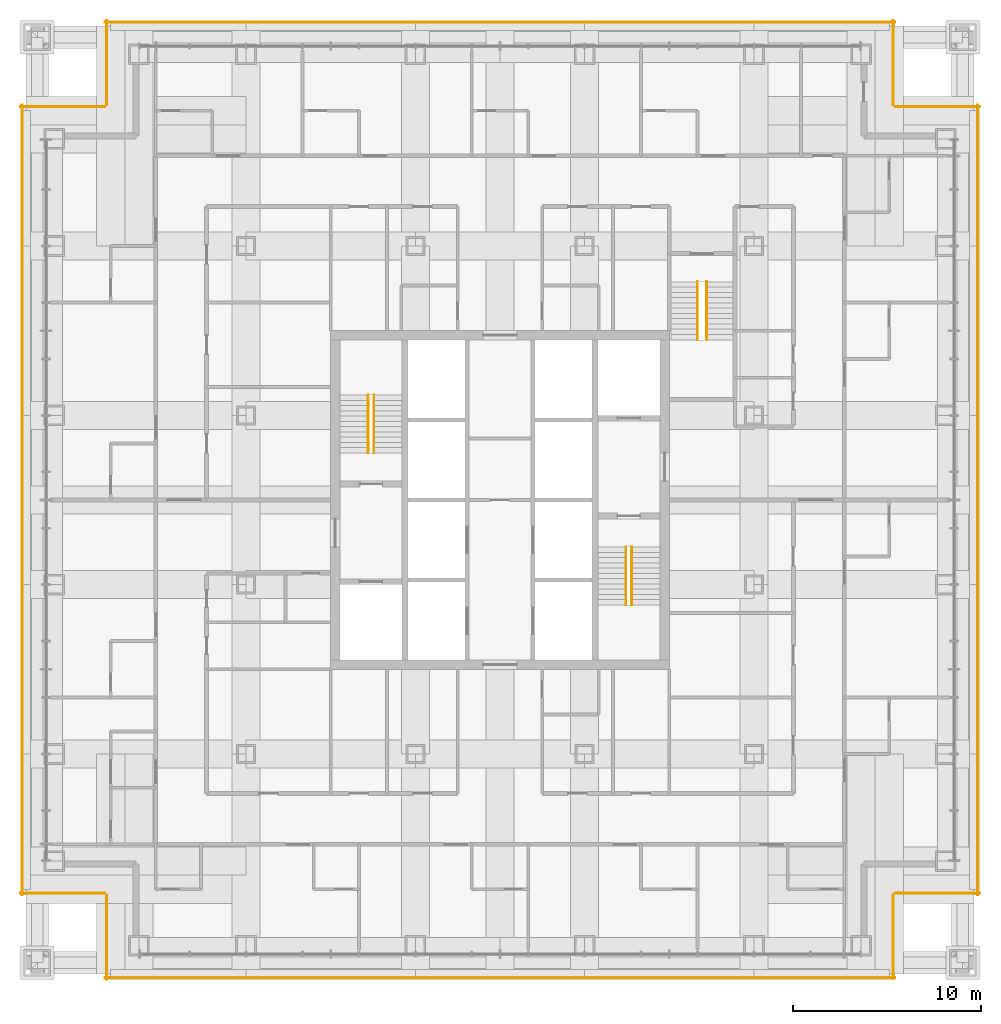
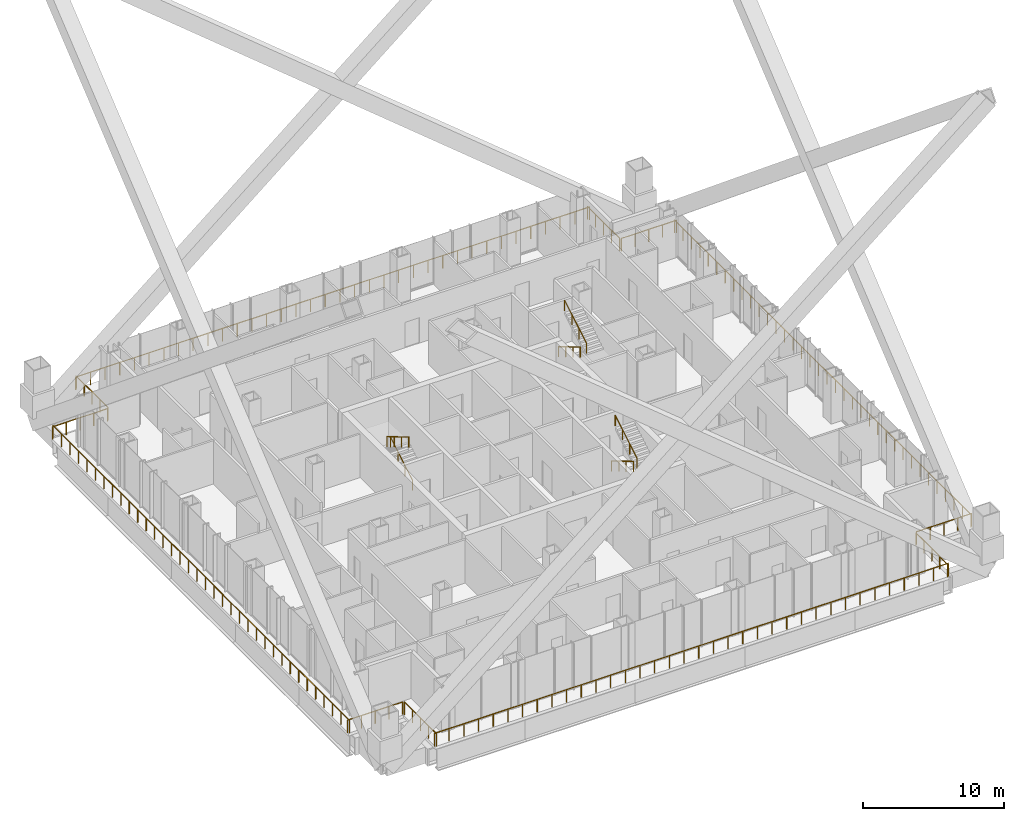
# One storey, part 20 of 20: 18 railings.
"""IFC4 building model written with IfcOpenShell, lengths in metres."""

from ifc_helpers import new_model, si_unit, direction, frame, origin, origin_2d, place, context, subcontext, project, spatial, circle, extrude, material, type_object, element, save


model = new_model("IFC4")

# Units and contexts
model_context = context("Model", 3, precision=1e-05, world=origin(), true_north=direction((0.0, 1.0)))
body_context = subcontext(model_context, "Body", "Model", "MODEL_VIEW")
ifc_project = project(units=[si_unit("LENGTHUNIT", "METRE"), si_unit("AREAUNIT", "SQUARE_METRE"), si_unit("VOLUMEUNIT", "CUBIC_METRE"), si_unit("PLANEANGLEUNIT", "RADIAN"), si_unit("MASSUNIT", "GRAM", prefix="KILO")], contexts=[model_context])

# Site, building, storey
site_placement = place(None, origin())
site = spatial("IfcSite", under=ifc_project, at=site_placement, CompositionType="ELEMENT")
building_placement = place(site_placement, origin())
building = spatial("IfcBuilding", under=site, at=building_placement, Name="Malebo Sky Hospital", CompositionType="ELEMENT")
storey_placement = place(building_placement, frame((0.0, 0.0, 100.0)))
storey = spatial("IfcBuildingStorey", under=building, at=storey_placement, Name="L23", CompositionType="ELEMENT", Elevation=100.0)

# Railings
ifc_material_1 = material(Name="Anodised aluminium, natural silver posts with stainless steel infill", Category="steel")
railing_type_1 = type_object("IfcRailingType", Name="ROOF EDGE GUARD 1100", PredefinedType="GUARDRAIL", material=ifc_material_1)
railing_1_placement = place(storey_placement, frame((80.89990234375, 36.5, 0.0)))
element("IfcRailing", 1, at=railing_1_placement, inside=storey, type_object=railing_type_1, Name="Maintenance roof edge guard 1 L23", PredefinedType="GUARDRAIL", context=body_context, shape_type="SweptSolid", body=[
    extrude(circle(Radius=0.02392578125, at=origin_2d()), frame((0.0, 0.0, 1.076171875), z_axis=(0.0, 1.0, 0.0), x_axis=(-1.0, 0.0, 0.0)), (0.0, 0.0, 1.0), 4.5),
    extrude(circle(Radius=0.02099609375, at=origin_2d()), origin(), (0.0, 0.0, 1.0), 1.052001953125),
    extrude(circle(Radius=0.02099609375, at=origin_2d()), frame((0.0, 1.125, 0.0)), (0.0, 0.0, 1.0), 1.052001953125),
    extrude(circle(Radius=0.02099609375, at=origin_2d()), frame((0.0, 2.25, 0.0)), (0.0, 0.0, 1.0), 1.052001953125),
    extrude(circle(Radius=0.02099609375, at=origin_2d()), frame((0.0, 3.375, 0.0)), (0.0, 0.0, 1.0), 1.052001953125),
    extrude(circle(Radius=0.02099609375, at=origin_2d()), frame((0.0, 4.5, 0.0)), (0.0, 0.0, 1.0), 1.052001953125),
])
railing_2_placement = place(storey_placement, frame((81.0, 41.10009765625, 0.0)))
element("IfcRailing", 2, at=railing_2_placement, inside=storey, type_object=railing_type_1, Name="Maintenance roof edge guard 2 L23", PredefinedType="GUARDRAIL", context=body_context, shape_type="SweptSolid", body=[
    extrude(circle(Radius=0.02392578125, at=origin_2d()), frame((0.0, 0.0, 1.076171875), z_axis=(1.0, 0.0, 0.0), x_axis=(0.0, 1.0, 0.0)), (0.0, 0.0, 1.0), 4.5),
    extrude(circle(Radius=0.02099609375, at=origin_2d()), origin(), (0.0, 0.0, 1.0), 1.052001953125),
    extrude(circle(Radius=0.02099609375, at=origin_2d()), frame((1.125, 0.0, 0.0)), (0.0, 0.0, 1.0), 1.052001953125),
    extrude(circle(Radius=0.02099609375, at=origin_2d()), frame((2.25, 0.0, 0.0)), (0.0, 0.0, 1.0), 1.052001953125),
    extrude(circle(Radius=0.02099609375, at=origin_2d()), frame((3.375, 0.0, 0.0)), (0.0, 0.0, 1.0), 1.052001953125),
    extrude(circle(Radius=0.02099609375, at=origin_2d()), frame((4.5, 0.0, 0.0)), (0.0, 0.0, 1.0), 1.052001953125),
])
railing_3_placement = place(storey_placement, frame((85.39990234375, 41.0, 0.0)))
element("IfcRailing", 3, at=railing_3_placement, inside=storey, type_object=railing_type_1, Name="Maintenance roof edge guard 3 L23", PredefinedType="GUARDRAIL", context=body_context, shape_type="SweptSolid", body=[
    extrude(circle(Radius=0.02392578125, at=origin_2d()), frame((0.0, 0.0, 1.076171875), z_axis=(0.0, 1.0, 0.0), x_axis=(-1.0, 0.0, 0.0)), (0.0, 0.0, 1.0), 42.0),
    extrude(circle(Radius=0.02099609375, at=origin_2d()), origin(), (0.0, 0.0, 1.0), 1.052001953125),
    extrude(circle(Radius=0.02099609375, at=origin_2d()), frame((0.0, 1.199951171875, 0.0)), (0.0, 0.0, 1.0), 1.052001953125),
    extrude(circle(Radius=0.02099609375, at=origin_2d()), frame((0.0, 2.39990234375, 0.0)), (0.0, 0.0, 1.0), 1.052001953125),
    extrude(circle(Radius=0.02099609375, at=origin_2d()), frame((0.0, 3.60009765625, 0.0)), (0.0, 0.0, 1.0), 1.052001953125),
    extrude(circle(Radius=0.02099609375, at=origin_2d()), frame((0.0, 4.800048828125, 0.0)), (0.0, 0.0, 1.0), 1.052001953125),
    extrude(circle(Radius=0.02099609375, at=origin_2d()), frame((0.0, 6.0, 0.0)), (0.0, 0.0, 1.0), 1.052001953125),
    extrude(circle(Radius=0.02099609375, at=origin_2d()), frame((0.0, 7.199951171875, 0.0)), (0.0, 0.0, 1.0), 1.052001953125),
    extrude(circle(Radius=0.02099609375, at=origin_2d()), frame((0.0, 8.39990234375, 0.0)), (0.0, 0.0, 1.0), 1.052001953125),
    extrude(circle(Radius=0.02099609375, at=origin_2d()), frame((0.0, 9.60009765625, 0.0)), (0.0, 0.0, 1.0), 1.052001953125),
    extrude(circle(Radius=0.02099609375, at=origin_2d()), frame((0.0, 10.800048828125, 0.0)), (0.0, 0.0, 1.0), 1.052001953125),
    extrude(circle(Radius=0.02099609375, at=origin_2d()), frame((0.0, 12.0, 0.0)), (0.0, 0.0, 1.0), 1.052001953125),
    extrude(circle(Radius=0.02099609375, at=origin_2d()), frame((0.0, 13.199951171875, 0.0)), (0.0, 0.0, 1.0), 1.052001953125),
    extrude(circle(Radius=0.02099609375, at=origin_2d()), frame((0.0, 14.39990234375, 0.0)), (0.0, 0.0, 1.0), 1.052001953125),
    extrude(circle(Radius=0.02099609375, at=origin_2d()), frame((0.0, 15.60009765625, 0.0)), (0.0, 0.0, 1.0), 1.052001953125),
    extrude(circle(Radius=0.02099609375, at=origin_2d()), frame((0.0, 16.800048828125, 0.0)), (0.0, 0.0, 1.0), 1.052001953125),
    extrude(circle(Radius=0.02099609375, at=origin_2d()), frame((0.0, 18.0, 0.0)), (0.0, 0.0, 1.0), 1.052001953125),
    extrude(circle(Radius=0.02099609375, at=origin_2d()), frame((0.0, 19.199951171875, 0.0)), (0.0, 0.0, 1.0), 1.052001953125),
    extrude(circle(Radius=0.02099609375, at=origin_2d()), frame((0.0, 20.39990234375, 0.0)), (0.0, 0.0, 1.0), 1.052001953125),
    extrude(circle(Radius=0.02099609375, at=origin_2d()), frame((0.0, 21.60009765625, 0.0)), (0.0, 0.0, 1.0), 1.052001953125),
    extrude(circle(Radius=0.02099609375, at=origin_2d()), frame((0.0, 22.800048828125, 0.0)), (0.0, 0.0, 1.0), 1.052001953125),
    extrude(circle(Radius=0.02099609375, at=origin_2d()), frame((0.0, 24.0, 0.0)), (0.0, 0.0, 1.0), 1.052001953125),
    extrude(circle(Radius=0.02099609375, at=origin_2d()), frame((0.0, 25.199951171875, 0.0)), (0.0, 0.0, 1.0), 1.052001953125),
    extrude(circle(Radius=0.02099609375, at=origin_2d()), frame((0.0, 26.39990234375, 0.0)), (0.0, 0.0, 1.0), 1.052001953125),
    extrude(circle(Radius=0.02099609375, at=origin_2d()), frame((0.0, 27.60009765625, 0.0)), (0.0, 0.0, 1.0), 1.052001953125),
    extrude(circle(Radius=0.02099609375, at=origin_2d()), frame((0.0, 28.800048828125, 0.0)), (0.0, 0.0, 1.0), 1.052001953125),
    extrude(circle(Radius=0.02099609375, at=origin_2d()), frame((0.0, 30.0, 0.0)), (0.0, 0.0, 1.0), 1.052001953125),
    extrude(circle(Radius=0.02099609375, at=origin_2d()), frame((0.0, 31.199951171875, 0.0)), (0.0, 0.0, 1.0), 1.052001953125),
    extrude(circle(Radius=0.02099609375, at=origin_2d()), frame((0.0, 32.39990234375, 0.0)), (0.0, 0.0, 1.0), 1.052001953125),
    extrude(circle(Radius=0.02099609375, at=origin_2d()), frame((0.0, 33.60009765625, 0.0)), (0.0, 0.0, 1.0), 1.052001953125),
    extrude(circle(Radius=0.02099609375, at=origin_2d()), frame((0.0, 34.800048828125, 0.0)), (0.0, 0.0, 1.0), 1.052001953125),
    extrude(circle(Radius=0.02099609375, at=origin_2d()), frame((0.0, 36.0, 0.0)), (0.0, 0.0, 1.0), 1.052001953125),
    extrude(circle(Radius=0.02099609375, at=origin_2d()), frame((0.0, 37.199951171875, 0.0)), (0.0, 0.0, 1.0), 1.052001953125),
    extrude(circle(Radius=0.02099609375, at=origin_2d()), frame((0.0, 38.39990234375, 0.0)), (0.0, 0.0, 1.0), 1.052001953125),
    extrude(circle(Radius=0.02099609375, at=origin_2d()), frame((0.0, 39.60009765625, 0.0)), (0.0, 0.0, 1.0), 1.052001953125),
    extrude(circle(Radius=0.02099609375, at=origin_2d()), frame((0.0, 40.800048828125, 0.0)), (0.0, 0.0, 1.0), 1.052001953125),
    extrude(circle(Radius=0.02099609375, at=origin_2d()), frame((0.0, 42.0, 0.0)), (0.0, 0.0, 1.0), 1.052001953125),
])
railing_4_placement = place(storey_placement, frame((85.5, 82.89990234375, 0.0)))
element("IfcRailing", 4, at=railing_4_placement, inside=storey, type_object=railing_type_1, Name="Maintenance roof edge guard 4 L23", PredefinedType="GUARDRAIL", context=body_context, shape_type="SweptSolid", body=[
    extrude(circle(Radius=0.02392578125, at=origin_2d()), frame((0.0, 0.0, 1.076171875), z_axis=(-1.0, 0.0, 0.0), x_axis=(0.0, -1.0, 0.0)), (0.0, 0.0, 1.0), 4.5),
    extrude(circle(Radius=0.02099609375, at=origin_2d()), origin(), (0.0, 0.0, 1.0), 1.052001953125),
    extrude(circle(Radius=0.02099609375, at=origin_2d()), frame((-1.125, 0.0, 0.0)), (0.0, 0.0, 1.0), 1.052001953125),
    extrude(circle(Radius=0.02099609375, at=origin_2d()), frame((-2.25, 0.0, 0.0)), (0.0, 0.0, 1.0), 1.052001953125),
    extrude(circle(Radius=0.02099609375, at=origin_2d()), frame((-3.375, 0.0, 0.0)), (0.0, 0.0, 1.0), 1.052001953125),
    extrude(circle(Radius=0.02099609375, at=origin_2d()), frame((-4.5, 0.0, 0.0)), (0.0, 0.0, 1.0), 1.052001953125),
])
railing_5_placement = place(storey_placement, frame((80.89990234375, 83.0, 0.0)))
element("IfcRailing", 5, at=railing_5_placement, inside=storey, type_object=railing_type_1, Name="Maintenance roof edge guard 5 L23", PredefinedType="GUARDRAIL", context=body_context, shape_type="SweptSolid", body=[
    extrude(circle(Radius=0.02392578125, at=origin_2d()), frame((0.0, 0.0, 1.076171875), z_axis=(0.0, 1.0, 0.0), x_axis=(-1.0, 0.0, 0.0)), (0.0, 0.0, 1.0), 4.5),
    extrude(circle(Radius=0.02099609375, at=origin_2d()), origin(), (0.0, 0.0, 1.0), 1.052001953125),
    extrude(circle(Radius=0.02099609375, at=origin_2d()), frame((0.0, 1.125, 0.0)), (0.0, 0.0, 1.0), 1.052001953125),
    extrude(circle(Radius=0.02099609375, at=origin_2d()), frame((0.0, 2.25, 0.0)), (0.0, 0.0, 1.0), 1.052001953125),
    extrude(circle(Radius=0.02099609375, at=origin_2d()), frame((0.0, 3.375, 0.0)), (0.0, 0.0, 1.0), 1.052001953125),
    extrude(circle(Radius=0.02099609375, at=origin_2d()), frame((0.0, 4.5, 0.0)), (0.0, 0.0, 1.0), 1.052001953125),
])
railing_6_placement = place(storey_placement, frame((81.0, 87.39990234375, 0.0)))
element("IfcRailing", 6, at=railing_6_placement, inside=storey, type_object=railing_type_1, Name="Maintenance roof edge guard 6 L23", PredefinedType="GUARDRAIL", context=body_context, shape_type="SweptSolid", body=[
    extrude(circle(Radius=0.02392578125, at=origin_2d()), frame((0.0, 0.0, 1.076171875), z_axis=(-1.0, 0.0, 0.0), x_axis=(0.0, -1.0, 0.0)), (0.0, 0.0, 1.0), 42.0),
    extrude(circle(Radius=0.02099609375, at=origin_2d()), origin(), (0.0, 0.0, 1.0), 1.052001953125),
    extrude(circle(Radius=0.02099609375, at=origin_2d()), frame((-1.199951171875, 0.0, 0.0)), (0.0, 0.0, 1.0), 1.052001953125),
    extrude(circle(Radius=0.02099609375, at=origin_2d()), frame((-2.39990234375, 0.0, 0.0)), (0.0, 0.0, 1.0), 1.052001953125),
    extrude(circle(Radius=0.02099609375, at=origin_2d()), frame((-3.60009765625, 0.0, 0.0)), (0.0, 0.0, 1.0), 1.052001953125),
    extrude(circle(Radius=0.02099609375, at=origin_2d()), frame((-4.800048828125, 0.0, 0.0)), (0.0, 0.0, 1.0), 1.052001953125),
    extrude(circle(Radius=0.02099609375, at=origin_2d()), frame((-6.0, 0.0, 0.0)), (0.0, 0.0, 1.0), 1.052001953125),
    extrude(circle(Radius=0.02099609375, at=origin_2d()), frame((-7.199951171875, 0.0, 0.0)), (0.0, 0.0, 1.0), 1.052001953125),
    extrude(circle(Radius=0.02099609375, at=origin_2d()), frame((-8.39990234375, 0.0, 0.0)), (0.0, 0.0, 1.0), 1.052001953125),
    extrude(circle(Radius=0.02099609375, at=origin_2d()), frame((-9.60009765625, 0.0, 0.0)), (0.0, 0.0, 1.0), 1.052001953125),
    extrude(circle(Radius=0.02099609375, at=origin_2d()), frame((-10.800048828125, 0.0, 0.0)), (0.0, 0.0, 1.0), 1.052001953125),
    extrude(circle(Radius=0.02099609375, at=origin_2d()), frame((-12.0, 0.0, 0.0)), (0.0, 0.0, 1.0), 1.052001953125),
    extrude(circle(Radius=0.02099609375, at=origin_2d()), frame((-13.199951171875, 0.0, 0.0)), (0.0, 0.0, 1.0), 1.052001953125),
    extrude(circle(Radius=0.02099609375, at=origin_2d()), frame((-14.39990234375, 0.0, 0.0)), (0.0, 0.0, 1.0), 1.052001953125),
    extrude(circle(Radius=0.02099609375, at=origin_2d()), frame((-15.60009765625, 0.0, 0.0)), (0.0, 0.0, 1.0), 1.052001953125),
    extrude(circle(Radius=0.02099609375, at=origin_2d()), frame((-16.800048828125, 0.0, 0.0)), (0.0, 0.0, 1.0), 1.052001953125),
    extrude(circle(Radius=0.02099609375, at=origin_2d()), frame((-18.0, 0.0, 0.0)), (0.0, 0.0, 1.0), 1.052001953125),
    extrude(circle(Radius=0.02099609375, at=origin_2d()), frame((-19.199951171875, 0.0, 0.0)), (0.0, 0.0, 1.0), 1.052001953125),
    extrude(circle(Radius=0.02099609375, at=origin_2d()), frame((-20.39990234375, 0.0, 0.0)), (0.0, 0.0, 1.0), 1.052001953125),
    extrude(circle(Radius=0.02099609375, at=origin_2d()), frame((-21.60009765625, 0.0, 0.0)), (0.0, 0.0, 1.0), 1.052001953125),
    extrude(circle(Radius=0.02099609375, at=origin_2d()), frame((-22.800048828125, 0.0, 0.0)), (0.0, 0.0, 1.0), 1.052001953125),
    extrude(circle(Radius=0.02099609375, at=origin_2d()), frame((-24.0, 0.0, 0.0)), (0.0, 0.0, 1.0), 1.052001953125),
    extrude(circle(Radius=0.02099609375, at=origin_2d()), frame((-25.199951171875, 0.0, 0.0)), (0.0, 0.0, 1.0), 1.052001953125),
    extrude(circle(Radius=0.02099609375, at=origin_2d()), frame((-26.39990234375, 0.0, 0.0)), (0.0, 0.0, 1.0), 1.052001953125),
    extrude(circle(Radius=0.02099609375, at=origin_2d()), frame((-27.60009765625, 0.0, 0.0)), (0.0, 0.0, 1.0), 1.052001953125),
    extrude(circle(Radius=0.02099609375, at=origin_2d()), frame((-28.800048828125, 0.0, 0.0)), (0.0, 0.0, 1.0), 1.052001953125),
    extrude(circle(Radius=0.02099609375, at=origin_2d()), frame((-30.0, 0.0, 0.0)), (0.0, 0.0, 1.0), 1.052001953125),
    extrude(circle(Radius=0.02099609375, at=origin_2d()), frame((-31.199951171875, 0.0, 0.0)), (0.0, 0.0, 1.0), 1.052001953125),
    extrude(circle(Radius=0.02099609375, at=origin_2d()), frame((-32.39990234375, 0.0, 0.0)), (0.0, 0.0, 1.0), 1.052001953125),
    extrude(circle(Radius=0.02099609375, at=origin_2d()), frame((-33.60009765625, 0.0, 0.0)), (0.0, 0.0, 1.0), 1.052001953125),
    extrude(circle(Radius=0.02099609375, at=origin_2d()), frame((-34.800048828125, 0.0, 0.0)), (0.0, 0.0, 1.0), 1.052001953125),
    extrude(circle(Radius=0.02099609375, at=origin_2d()), frame((-36.0, 0.0, 0.0)), (0.0, 0.0, 1.0), 1.052001953125),
    extrude(circle(Radius=0.02099609375, at=origin_2d()), frame((-37.199951171875, 0.0, 0.0)), (0.0, 0.0, 1.0), 1.052001953125),
    extrude(circle(Radius=0.02099609375, at=origin_2d()), frame((-38.39990234375, 0.0, 0.0)), (0.0, 0.0, 1.0), 1.052001953125),
    extrude(circle(Radius=0.02099609375, at=origin_2d()), frame((-39.60009765625, 0.0, 0.0)), (0.0, 0.0, 1.0), 1.052001953125),
    extrude(circle(Radius=0.02099609375, at=origin_2d()), frame((-40.800048828125, 0.0, 0.0)), (0.0, 0.0, 1.0), 1.052001953125),
    extrude(circle(Radius=0.02099609375, at=origin_2d()), frame((-42.0, 0.0, 0.0)), (0.0, 0.0, 1.0), 1.052001953125),
])
railing_7_placement = place(storey_placement, frame((39.10009765625, 87.5, 0.0)))
element("IfcRailing", 7, at=railing_7_placement, inside=storey, type_object=railing_type_1, Name="Maintenance roof edge guard 7 L23", PredefinedType="GUARDRAIL", context=body_context, shape_type="SweptSolid", body=[
    extrude(circle(Radius=0.02392578125, at=origin_2d()), frame((0.0, 0.0, 1.076171875), z_axis=(0.0, -1.0, 0.0), x_axis=(1.0, 0.0, 0.0)), (0.0, 0.0, 1.0), 4.5),
    extrude(circle(Radius=0.02099609375, at=origin_2d()), origin(), (0.0, 0.0, 1.0), 1.052001953125),
    extrude(circle(Radius=0.02099609375, at=origin_2d()), frame((0.0, -1.125, 0.0)), (0.0, 0.0, 1.0), 1.052001953125),
    extrude(circle(Radius=0.02099609375, at=origin_2d()), frame((0.0, -2.25, 0.0)), (0.0, 0.0, 1.0), 1.052001953125),
    extrude(circle(Radius=0.02099609375, at=origin_2d()), frame((0.0, -3.375, 0.0)), (0.0, 0.0, 1.0), 1.052001953125),
    extrude(circle(Radius=0.02099609375, at=origin_2d()), frame((0.0, -4.5, 0.0)), (0.0, 0.0, 1.0), 1.052001953125),
])
railing_8_placement = place(storey_placement, frame((39.0, 82.89990234375, 0.0)))
element("IfcRailing", 8, at=railing_8_placement, inside=storey, type_object=railing_type_1, Name="Maintenance roof edge guard 8 L23", PredefinedType="GUARDRAIL", context=body_context, shape_type="SweptSolid", body=[
    extrude(circle(Radius=0.02392578125, at=origin_2d()), frame((0.0, 0.0, 1.076171875), z_axis=(-1.0, 0.0, 0.0), x_axis=(0.0, -1.0, 0.0)), (0.0, 0.0, 1.0), 4.5),
    extrude(circle(Radius=0.02099609375, at=origin_2d()), origin(), (0.0, 0.0, 1.0), 1.052001953125),
    extrude(circle(Radius=0.02099609375, at=origin_2d()), frame((-1.125, 0.0, 0.0)), (0.0, 0.0, 1.0), 1.052001953125),
    extrude(circle(Radius=0.02099609375, at=origin_2d()), frame((-2.25, 0.0, 0.0)), (0.0, 0.0, 1.0), 1.052001953125),
    extrude(circle(Radius=0.02099609375, at=origin_2d()), frame((-3.375, 0.0, 0.0)), (0.0, 0.0, 1.0), 1.052001953125),
    extrude(circle(Radius=0.02099609375, at=origin_2d()), frame((-4.5, 0.0, 0.0)), (0.0, 0.0, 1.0), 1.052001953125),
])
railing_9_placement = place(storey_placement, frame((34.60009765625, 83.0, 0.0)))
element("IfcRailing", 9, at=railing_9_placement, inside=storey, type_object=railing_type_1, Name="Maintenance roof edge guard 9 L23", PredefinedType="GUARDRAIL", context=body_context, shape_type="SweptSolid", body=[
    extrude(circle(Radius=0.02392578125, at=origin_2d()), frame((0.0, 0.0, 1.076171875), z_axis=(0.0, -1.0, 0.0), x_axis=(1.0, 0.0, 0.0)), (0.0, 0.0, 1.0), 42.0),
    extrude(circle(Radius=0.02099609375, at=origin_2d()), origin(), (0.0, 0.0, 1.0), 1.052001953125),
    extrude(circle(Radius=0.02099609375, at=origin_2d()), frame((0.0, -1.199951171875, 0.0)), (0.0, 0.0, 1.0), 1.052001953125),
    extrude(circle(Radius=0.02099609375, at=origin_2d()), frame((0.0, -2.39990234375, 0.0)), (0.0, 0.0, 1.0), 1.052001953125),
    extrude(circle(Radius=0.02099609375, at=origin_2d()), frame((0.0, -3.60009765625, 0.0)), (0.0, 0.0, 1.0), 1.052001953125),
    extrude(circle(Radius=0.02099609375, at=origin_2d()), frame((0.0, -4.800048828125, 0.0)), (0.0, 0.0, 1.0), 1.052001953125),
    extrude(circle(Radius=0.02099609375, at=origin_2d()), frame((0.0, -6.0, 0.0)), (0.0, 0.0, 1.0), 1.052001953125),
    extrude(circle(Radius=0.02099609375, at=origin_2d()), frame((0.0, -7.199951171875, 0.0)), (0.0, 0.0, 1.0), 1.052001953125),
    extrude(circle(Radius=0.02099609375, at=origin_2d()), frame((0.0, -8.39990234375, 0.0)), (0.0, 0.0, 1.0), 1.052001953125),
    extrude(circle(Radius=0.02099609375, at=origin_2d()), frame((0.0, -9.60009765625, 0.0)), (0.0, 0.0, 1.0), 1.052001953125),
    extrude(circle(Radius=0.02099609375, at=origin_2d()), frame((0.0, -10.800048828125, 0.0)), (0.0, 0.0, 1.0), 1.052001953125),
    extrude(circle(Radius=0.02099609375, at=origin_2d()), frame((0.0, -12.0, 0.0)), (0.0, 0.0, 1.0), 1.052001953125),
    extrude(circle(Radius=0.02099609375, at=origin_2d()), frame((0.0, -13.199951171875, 0.0)), (0.0, 0.0, 1.0), 1.052001953125),
    extrude(circle(Radius=0.02099609375, at=origin_2d()), frame((0.0, -14.39990234375, 0.0)), (0.0, 0.0, 1.0), 1.052001953125),
    extrude(circle(Radius=0.02099609375, at=origin_2d()), frame((0.0, -15.60009765625, 0.0)), (0.0, 0.0, 1.0), 1.052001953125),
    extrude(circle(Radius=0.02099609375, at=origin_2d()), frame((0.0, -16.800048828125, 0.0)), (0.0, 0.0, 1.0), 1.052001953125),
    extrude(circle(Radius=0.02099609375, at=origin_2d()), frame((0.0, -18.0, 0.0)), (0.0, 0.0, 1.0), 1.052001953125),
    extrude(circle(Radius=0.02099609375, at=origin_2d()), frame((0.0, -19.199951171875, 0.0)), (0.0, 0.0, 1.0), 1.052001953125),
    extrude(circle(Radius=0.02099609375, at=origin_2d()), frame((0.0, -20.39990234375, 0.0)), (0.0, 0.0, 1.0), 1.052001953125),
    extrude(circle(Radius=0.02099609375, at=origin_2d()), frame((0.0, -21.60009765625, 0.0)), (0.0, 0.0, 1.0), 1.052001953125),
    extrude(circle(Radius=0.02099609375, at=origin_2d()), frame((0.0, -22.800048828125, 0.0)), (0.0, 0.0, 1.0), 1.052001953125),
    extrude(circle(Radius=0.02099609375, at=origin_2d()), frame((0.0, -24.0, 0.0)), (0.0, 0.0, 1.0), 1.052001953125),
    extrude(circle(Radius=0.02099609375, at=origin_2d()), frame((0.0, -25.199951171875, 0.0)), (0.0, 0.0, 1.0), 1.052001953125),
    extrude(circle(Radius=0.02099609375, at=origin_2d()), frame((0.0, -26.39990234375, 0.0)), (0.0, 0.0, 1.0), 1.052001953125),
    extrude(circle(Radius=0.02099609375, at=origin_2d()), frame((0.0, -27.60009765625, 0.0)), (0.0, 0.0, 1.0), 1.052001953125),
    extrude(circle(Radius=0.02099609375, at=origin_2d()), frame((0.0, -28.800048828125, 0.0)), (0.0, 0.0, 1.0), 1.052001953125),
    extrude(circle(Radius=0.02099609375, at=origin_2d()), frame((0.0, -30.0, 0.0)), (0.0, 0.0, 1.0), 1.052001953125),
    extrude(circle(Radius=0.02099609375, at=origin_2d()), frame((0.0, -31.199951171875, 0.0)), (0.0, 0.0, 1.0), 1.052001953125),
    extrude(circle(Radius=0.02099609375, at=origin_2d()), frame((0.0, -32.39990234375, 0.0)), (0.0, 0.0, 1.0), 1.052001953125),
    extrude(circle(Radius=0.02099609375, at=origin_2d()), frame((0.0, -33.60009765625, 0.0)), (0.0, 0.0, 1.0), 1.052001953125),
    extrude(circle(Radius=0.02099609375, at=origin_2d()), frame((0.0, -34.800048828125, 0.0)), (0.0, 0.0, 1.0), 1.052001953125),
    extrude(circle(Radius=0.02099609375, at=origin_2d()), frame((0.0, -36.0, 0.0)), (0.0, 0.0, 1.0), 1.052001953125),
    extrude(circle(Radius=0.02099609375, at=origin_2d()), frame((0.0, -37.199951171875, 0.0)), (0.0, 0.0, 1.0), 1.052001953125),
    extrude(circle(Radius=0.02099609375, at=origin_2d()), frame((0.0, -38.39990234375, 0.0)), (0.0, 0.0, 1.0), 1.052001953125),
    extrude(circle(Radius=0.02099609375, at=origin_2d()), frame((0.0, -39.60009765625, 0.0)), (0.0, 0.0, 1.0), 1.052001953125),
    extrude(circle(Radius=0.02099609375, at=origin_2d()), frame((0.0, -40.800048828125, 0.0)), (0.0, 0.0, 1.0), 1.052001953125),
    extrude(circle(Radius=0.02099609375, at=origin_2d()), frame((0.0, -42.0, 0.0)), (0.0, 0.0, 1.0), 1.052001953125),
])
railing_10_placement = place(storey_placement, frame((34.5, 41.10009765625, 0.0)))
element("IfcRailing", 10, at=railing_10_placement, inside=storey, type_object=railing_type_1, Name="Maintenance roof edge guard 10 L23", PredefinedType="GUARDRAIL", context=body_context, shape_type="SweptSolid", body=[
    extrude(circle(Radius=0.02392578125, at=origin_2d()), frame((0.0, 0.0, 1.076171875), z_axis=(1.0, 0.0, 0.0), x_axis=(0.0, 1.0, 0.0)), (0.0, 0.0, 1.0), 4.5),
    extrude(circle(Radius=0.02099609375, at=origin_2d()), origin(), (0.0, 0.0, 1.0), 1.052001953125),
    extrude(circle(Radius=0.02099609375, at=origin_2d()), frame((1.125, 0.0, 0.0)), (0.0, 0.0, 1.0), 1.052001953125),
    extrude(circle(Radius=0.02099609375, at=origin_2d()), frame((2.25, 0.0, 0.0)), (0.0, 0.0, 1.0), 1.052001953125),
    extrude(circle(Radius=0.02099609375, at=origin_2d()), frame((3.375, 0.0, 0.0)), (0.0, 0.0, 1.0), 1.052001953125),
    extrude(circle(Radius=0.02099609375, at=origin_2d()), frame((4.5, 0.0, 0.0)), (0.0, 0.0, 1.0), 1.052001953125),
])
railing_11_placement = place(storey_placement, frame((39.10009765625, 41.0, 0.0)))
element("IfcRailing", 11, at=railing_11_placement, inside=storey, type_object=railing_type_1, Name="Maintenance roof edge guard 11 L23", PredefinedType="GUARDRAIL", context=body_context, shape_type="SweptSolid", body=[
    extrude(circle(Radius=0.02392578125, at=origin_2d()), frame((0.0, 0.0, 1.076171875), z_axis=(0.0, -1.0, 0.0), x_axis=(1.0, 0.0, 0.0)), (0.0, 0.0, 1.0), 4.5),
    extrude(circle(Radius=0.02099609375, at=origin_2d()), origin(), (0.0, 0.0, 1.0), 1.052001953125),
    extrude(circle(Radius=0.02099609375, at=origin_2d()), frame((0.0, -1.125, 0.0)), (0.0, 0.0, 1.0), 1.052001953125),
    extrude(circle(Radius=0.02099609375, at=origin_2d()), frame((0.0, -2.25, 0.0)), (0.0, 0.0, 1.0), 1.052001953125),
    extrude(circle(Radius=0.02099609375, at=origin_2d()), frame((0.0, -3.375, 0.0)), (0.0, 0.0, 1.0), 1.052001953125),
    extrude(circle(Radius=0.02099609375, at=origin_2d()), frame((0.0, -4.5, 0.0)), (0.0, 0.0, 1.0), 1.052001953125),
])
railing_12_placement = place(storey_placement, frame((39.0, 36.60009765625, 0.0)))
element("IfcRailing", 12, at=railing_12_placement, inside=storey, type_object=railing_type_1, Name="Maintenance roof edge guard 12 L23", PredefinedType="GUARDRAIL", context=body_context, shape_type="SweptSolid", body=[
    extrude(circle(Radius=0.02392578125, at=origin_2d()), frame((0.0, 0.0, 1.076171875), z_axis=(1.0, 0.0, 0.0), x_axis=(0.0, 1.0, 0.0)), (0.0, 0.0, 1.0), 42.0),
    extrude(circle(Radius=0.02099609375, at=origin_2d()), origin(), (0.0, 0.0, 1.0), 1.052001953125),
    extrude(circle(Radius=0.02099609375, at=origin_2d()), frame((1.199951171875, 0.0, 0.0)), (0.0, 0.0, 1.0), 1.052001953125),
    extrude(circle(Radius=0.02099609375, at=origin_2d()), frame((2.39990234375, 0.0, 0.0)), (0.0, 0.0, 1.0), 1.052001953125),
    extrude(circle(Radius=0.02099609375, at=origin_2d()), frame((3.60009765625, 0.0, 0.0)), (0.0, 0.0, 1.0), 1.052001953125),
    extrude(circle(Radius=0.02099609375, at=origin_2d()), frame((4.800048828125, 0.0, 0.0)), (0.0, 0.0, 1.0), 1.052001953125),
    extrude(circle(Radius=0.02099609375, at=origin_2d()), frame((6.0, 0.0, 0.0)), (0.0, 0.0, 1.0), 1.052001953125),
    extrude(circle(Radius=0.02099609375, at=origin_2d()), frame((7.199951171875, 0.0, 0.0)), (0.0, 0.0, 1.0), 1.052001953125),
    extrude(circle(Radius=0.02099609375, at=origin_2d()), frame((8.39990234375, 0.0, 0.0)), (0.0, 0.0, 1.0), 1.052001953125),
    extrude(circle(Radius=0.02099609375, at=origin_2d()), frame((9.60009765625, 0.0, 0.0)), (0.0, 0.0, 1.0), 1.052001953125),
    extrude(circle(Radius=0.02099609375, at=origin_2d()), frame((10.800048828125, 0.0, 0.0)), (0.0, 0.0, 1.0), 1.052001953125),
    extrude(circle(Radius=0.02099609375, at=origin_2d()), frame((12.0, 0.0, 0.0)), (0.0, 0.0, 1.0), 1.052001953125),
    extrude(circle(Radius=0.02099609375, at=origin_2d()), frame((13.199951171875, 0.0, 0.0)), (0.0, 0.0, 1.0), 1.052001953125),
    extrude(circle(Radius=0.02099609375, at=origin_2d()), frame((14.39990234375, 0.0, 0.0)), (0.0, 0.0, 1.0), 1.052001953125),
    extrude(circle(Radius=0.02099609375, at=origin_2d()), frame((15.60009765625, 0.0, 0.0)), (0.0, 0.0, 1.0), 1.052001953125),
    extrude(circle(Radius=0.02099609375, at=origin_2d()), frame((16.800048828125, 0.0, 0.0)), (0.0, 0.0, 1.0), 1.052001953125),
    extrude(circle(Radius=0.02099609375, at=origin_2d()), frame((18.0, 0.0, 0.0)), (0.0, 0.0, 1.0), 1.052001953125),
    extrude(circle(Radius=0.02099609375, at=origin_2d()), frame((19.199951171875, 0.0, 0.0)), (0.0, 0.0, 1.0), 1.052001953125),
    extrude(circle(Radius=0.02099609375, at=origin_2d()), frame((20.39990234375, 0.0, 0.0)), (0.0, 0.0, 1.0), 1.052001953125),
    extrude(circle(Radius=0.02099609375, at=origin_2d()), frame((21.60009765625, 0.0, 0.0)), (0.0, 0.0, 1.0), 1.052001953125),
    extrude(circle(Radius=0.02099609375, at=origin_2d()), frame((22.800048828125, 0.0, 0.0)), (0.0, 0.0, 1.0), 1.052001953125),
    extrude(circle(Radius=0.02099609375, at=origin_2d()), frame((24.0, 0.0, 0.0)), (0.0, 0.0, 1.0), 1.052001953125),
    extrude(circle(Radius=0.02099609375, at=origin_2d()), frame((25.199951171875, 0.0, 0.0)), (0.0, 0.0, 1.0), 1.052001953125),
    extrude(circle(Radius=0.02099609375, at=origin_2d()), frame((26.39990234375, 0.0, 0.0)), (0.0, 0.0, 1.0), 1.052001953125),
    extrude(circle(Radius=0.02099609375, at=origin_2d()), frame((27.60009765625, 0.0, 0.0)), (0.0, 0.0, 1.0), 1.052001953125),
    extrude(circle(Radius=0.02099609375, at=origin_2d()), frame((28.800048828125, 0.0, 0.0)), (0.0, 0.0, 1.0), 1.052001953125),
    extrude(circle(Radius=0.02099609375, at=origin_2d()), frame((30.0, 0.0, 0.0)), (0.0, 0.0, 1.0), 1.052001953125),
    extrude(circle(Radius=0.02099609375, at=origin_2d()), frame((31.199951171875, 0.0, 0.0)), (0.0, 0.0, 1.0), 1.052001953125),
    extrude(circle(Radius=0.02099609375, at=origin_2d()), frame((32.39990234375, 0.0, 0.0)), (0.0, 0.0, 1.0), 1.052001953125),
    extrude(circle(Radius=0.02099609375, at=origin_2d()), frame((33.60009765625, 0.0, 0.0)), (0.0, 0.0, 1.0), 1.052001953125),
    extrude(circle(Radius=0.02099609375, at=origin_2d()), frame((34.800048828125, 0.0, 0.0)), (0.0, 0.0, 1.0), 1.052001953125),
    extrude(circle(Radius=0.02099609375, at=origin_2d()), frame((36.0, 0.0, 0.0)), (0.0, 0.0, 1.0), 1.052001953125),
    extrude(circle(Radius=0.02099609375, at=origin_2d()), frame((37.199951171875, 0.0, 0.0)), (0.0, 0.0, 1.0), 1.052001953125),
    extrude(circle(Radius=0.02099609375, at=origin_2d()), frame((38.39990234375, 0.0, 0.0)), (0.0, 0.0, 1.0), 1.052001953125),
    extrude(circle(Radius=0.02099609375, at=origin_2d()), frame((39.60009765625, 0.0, 0.0)), (0.0, 0.0, 1.0), 1.052001953125),
    extrude(circle(Radius=0.02099609375, at=origin_2d()), frame((40.800048828125, 0.0, 0.0)), (0.0, 0.0, 1.0), 1.052001953125),
    extrude(circle(Radius=0.02099609375, at=origin_2d()), frame((42.0, 0.0, 0.0)), (0.0, 0.0, 1.0), 1.052001953125),
])
ifc_material_2 = material(Name="Stainless steel tube", Category="steel")
railing_type_2 = type_object("IfcRailingType", Name="STAIR HANDRAIL 900", PredefinedType="HANDRAIL", material=ifc_material_2)
railing_13_placement = place(storey_placement, frame((53.300048828125, 64.5, 0.166748046875)))
element("IfcRailing", 13, at=railing_13_placement, inside=storey, type_object=railing_type_2, Name="Stair handrail S1 flight 1", PredefinedType="HANDRAIL", context=body_context, shape_type="SweptSolid", body=[
    extrude(circle(Radius=0.02392578125, at=origin_2d()), frame((0.0, 0.0, 0.8759765625), z_axis=(0.0, 0.859308565015, 0.511457515432), x_axis=(-1.0, 0.0, 0.0)), (0.0, 0.0, 1.0), 3.58447265625),
    extrude(circle(Radius=0.02099609375, at=origin_2d()), origin(), (0.0, 0.0, 1.0), 0.851806640625),
    extrude(circle(Radius=0.02099609375, at=origin_2d()), frame((0.0, 1.026611328125, 0.611083984375)), (0.0, 0.0, 1.0), 0.851806640625),
    extrude(circle(Radius=0.02099609375, at=origin_2d()), frame((0.0, 2.053466796875, 1.22216796875)), (0.0, 0.0, 1.0), 0.851806640625),
    extrude(circle(Radius=0.02099609375, at=origin_2d()), frame((0.0, 3.080078125, 1.833251953125)), (0.0, 0.0, 1.0), 0.851806640625),
])
for number, where, name in (
    (14, (53.0, 67.580078125, 2.166748046875), "Stair handrail S1 flight 2"),
    (15, (66.699951171875, 59.5, 0.166748046875), "Stair handrail S2 flight 1"),
):
    element("IfcRailing", number, at=place(storey_placement, frame(where)), inside=storey, type_object=railing_type_2, Name=name, PredefinedType="HANDRAIL", context=body_context, shape_type="SweptSolid", body=[
        extrude(circle(Radius=0.02392578125, at=origin_2d()), frame((0.0, 0.0, 0.8759765625), z_axis=(0.0, -0.859308565015, 0.511457515432), x_axis=(1.0, 0.0, 0.0)), (0.0, 0.0, 1.0), 3.58447265625),
        extrude(circle(Radius=0.02099609375, at=origin_2d()), origin(), (0.0, 0.0, 1.0), 0.851806640625),
        extrude(circle(Radius=0.02099609375, at=origin_2d()), frame((0.0, -1.026611328125, 0.611083984375)), (0.0, 0.0, 1.0), 0.851806640625),
        extrude(circle(Radius=0.02099609375, at=origin_2d()), frame((0.0, -2.053466796875, 1.22216796875)), (0.0, 0.0, 1.0), 0.851806640625),
        extrude(circle(Radius=0.02099609375, at=origin_2d()), frame((0.0, -3.080078125, 1.833251953125)), (0.0, 0.0, 1.0), 0.851806640625),
    ])
railing_14_placement = place(storey_placement, frame((67.0, 56.419921875, 2.166748046875)))
element("IfcRailing", 16, at=railing_14_placement, inside=storey, type_object=railing_type_2, Name="Stair handrail S2 flight 2", PredefinedType="HANDRAIL", context=body_context, shape_type="SweptSolid", body=[
    extrude(circle(Radius=0.02392578125, at=origin_2d()), frame((0.0, 0.0, 0.8759765625), z_axis=(0.0, 0.859308565015, 0.511457515432), x_axis=(-1.0, 0.0, 0.0)), (0.0, 0.0, 1.0), 3.58447265625),
    extrude(circle(Radius=0.02099609375, at=origin_2d()), origin(), (0.0, 0.0, 1.0), 0.851806640625),
    extrude(circle(Radius=0.02099609375, at=origin_2d()), frame((0.0, 1.026611328125, 0.611083984375)), (0.0, 0.0, 1.0), 0.851806640625),
    extrude(circle(Radius=0.02099609375, at=origin_2d()), frame((0.0, 2.053466796875, 1.22216796875)), (0.0, 0.0, 1.0), 0.851806640625),
    extrude(circle(Radius=0.02099609375, at=origin_2d()), frame((0.0, 3.080078125, 1.833251953125)), (0.0, 0.0, 1.0), 0.851806640625),
])
railing_15_placement = place(storey_placement, frame((70.5, 73.60009765625, 0.166748046875)))
element("IfcRailing", 17, at=railing_15_placement, inside=storey, type_object=railing_type_2, Name="Stair handrail S3 flight 1", PredefinedType="HANDRAIL", context=body_context, shape_type="SweptSolid", body=[
    extrude(circle(Radius=0.02392578125, at=origin_2d()), frame((0.0, 0.0, 0.8759765625), z_axis=(0.0, -0.859308565015, 0.511457515432), x_axis=(1.0, 0.0, 0.0)), (0.0, 0.0, 1.0), 3.58447265625),
    extrude(circle(Radius=0.02099609375, at=origin_2d()), origin(), (0.0, 0.0, 1.0), 0.851806640625),
    extrude(circle(Radius=0.02099609375, at=origin_2d()), frame((0.0, -1.026611328125, 0.611083984375)), (0.0, 0.0, 1.0), 0.851806640625),
    extrude(circle(Radius=0.02099609375, at=origin_2d()), frame((0.0, -2.053466796875, 1.22216796875)), (0.0, 0.0, 1.0), 0.851806640625),
    extrude(circle(Radius=0.02099609375, at=origin_2d()), frame((0.0, -3.080078125, 1.833251953125)), (0.0, 0.0, 1.0), 0.851806640625),
])
railing_16_placement = place(storey_placement, frame((71.0, 70.52001953125, 2.166748046875)))
element("IfcRailing", 18, at=railing_16_placement, inside=storey, type_object=railing_type_2, Name="Stair handrail S3 flight 2", PredefinedType="HANDRAIL", context=body_context, shape_type="SweptSolid", body=[
    extrude(circle(Radius=0.02392578125, at=origin_2d()), frame((0.0, 0.0, 0.8759765625), z_axis=(0.0, 0.859308565015, 0.511457515432), x_axis=(-1.0, 0.0, 0.0)), (0.0, 0.0, 1.0), 3.58447265625),
    extrude(circle(Radius=0.02099609375, at=origin_2d()), origin(), (0.0, 0.0, 1.0), 0.851806640625),
    extrude(circle(Radius=0.02099609375, at=origin_2d()), frame((0.0, 1.026611328125, 0.611083984375)), (0.0, 0.0, 1.0), 0.851806640625),
    extrude(circle(Radius=0.02099609375, at=origin_2d()), frame((0.0, 2.053466796875, 1.22216796875)), (0.0, 0.0, 1.0), 0.851806640625),
    extrude(circle(Radius=0.02099609375, at=origin_2d()), frame((0.0, 3.080078125, 1.833251953125)), (0.0, 0.0, 1.0), 0.851806640625),
])

save(model, "model.ifc")
